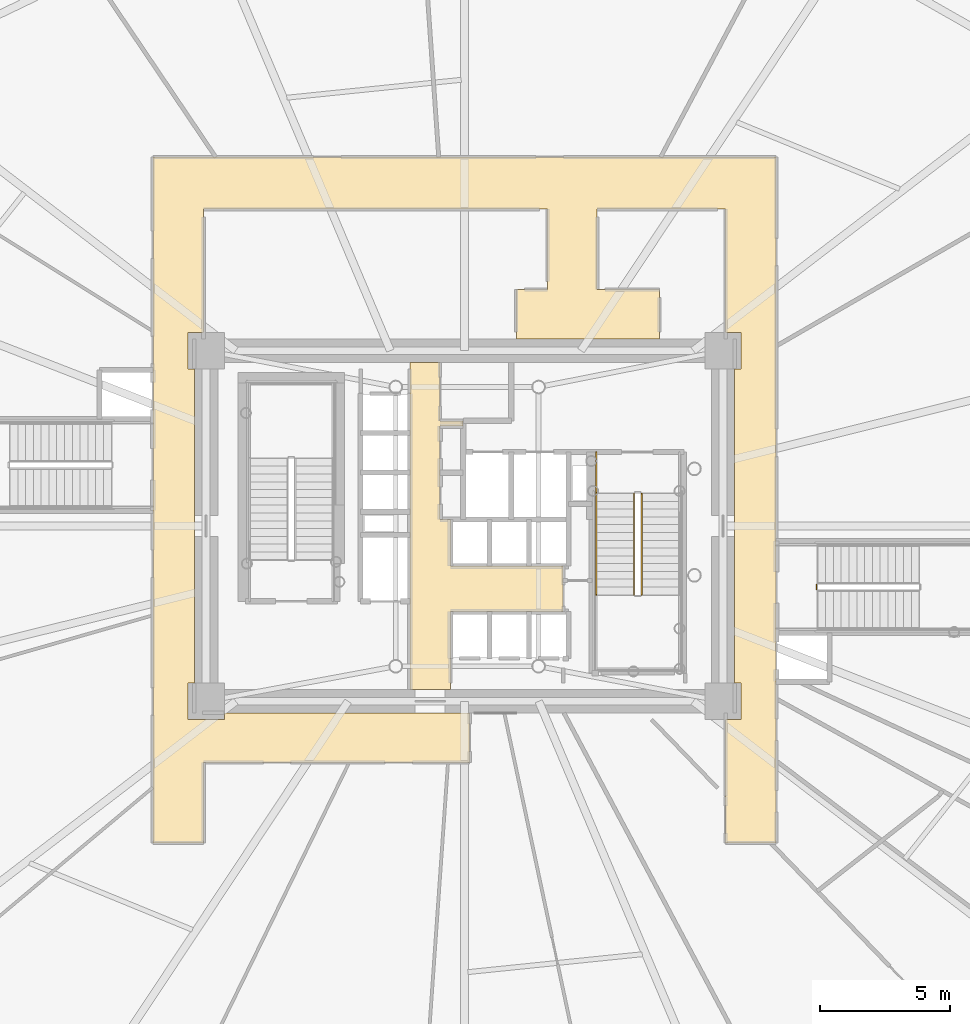
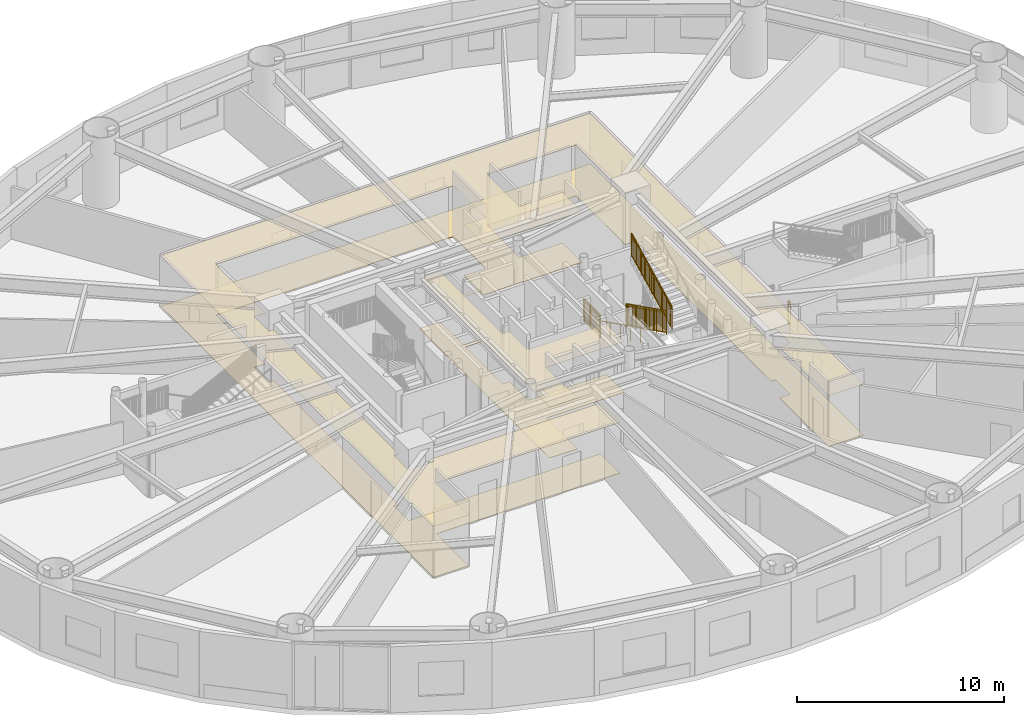
# One storey, part 24 of 27: 5 railings, 4 coverings.
"""IFC4 building model written with IfcOpenShell, lengths in metres."""

import ifcopenshell
import ifcopenshell.guid

model = None  # the IFC model being written
_history = None  # IfcOwnerHistory: only IFC2X3 demands one
_inside = {}  # id of a spatial element -> (the spatial element, [elements in it])
_under = {}  # id of a project, library or spatial element -> (it, [spatial elements below it])
_declared = {}  # id of a project -> (the project, [libraries it declares])
_typed = {}  # id of a type object -> (the type object, [elements of that type])
_made_of = {}  # id of a material, layer set ... -> (it, [elements and type objects made of it])


def new_model(schema):
    """Start an empty IFC model of exactly this schema.

    Asked for "IFC4X3", IfcOpenShell would pick the latest addendum, in which some entities
    have other attributes; the version numbers below select the first issue.
    IFC2X3 requires an IfcOwnerHistory on every rooted entity: one is made here for all.
    """
    global model, _history
    if schema == "IFC4X3":
        model = ifcopenshell.file(schema_version=(4, 3, 0, 0))
    else:
        model = ifcopenshell.file(schema=schema)
    _inside.clear()
    _under.clear()
    _declared.clear()
    _typed.clear()
    _made_of.clear()
    _history = None
    if model.schema == "IFC2X3":
        org = make("IfcOrganization", Name="unknown")
        user = make(
            "IfcPersonAndOrganization",
            ThePerson=make("IfcPerson", FamilyName="unknown"),
            TheOrganization=org,
        )
        app = make(
            "IfcApplication",
            ApplicationDeveloper=org,
            Version="unknown",
            ApplicationFullName="unknown",
            ApplicationIdentifier="unknown",
        )
        _history = make(
            "IfcOwnerHistory",
            OwningUser=user,
            OwningApplication=app,
            ChangeAction="ADDED",
            CreationDate=0,
        )
    return model


def make(cls, **values):
    """One entity of the class cls with the attributes given. An attribute that is None is left unset."""
    return model.create_entity(
        cls, **{name: value for name, value in values.items() if value is not None}
    )


def rooted(cls, **values):
    """An entity with a GlobalId (a new one), such as an element, a storey or a relation."""
    return make(cls, GlobalId=ifcopenshell.guid.new(), OwnerHistory=_history, **values)


def si_unit(unit_type, name, prefix=None):
    """IfcSIUnit, for example si_unit("LENGTHUNIT", "METRE", prefix="MILLI")."""
    return make("IfcSIUnit", UnitType=unit_type, Prefix=prefix, Name=name)


def assignment(units):
    """IfcUnitAssignment: the units of a project."""
    return None if units is None else make("IfcUnitAssignment", Units=units)


def point(xyz):
    """IfcCartesianPoint."""
    return None if xyz is None else make("IfcCartesianPoint", Coordinates=xyz)


def direction(xyz):
    """IfcDirection."""
    return None if xyz is None else make("IfcDirection", DirectionRatios=xyz)


def frame(location, z_axis=None, x_axis=None):
    """IfcAxis2Placement3D, a coordinate frame: its origin and axes. An axis left out is left unset."""
    return make(
        "IfcAxis2Placement3D",
        Location=point(location),
        Axis=direction(z_axis),
        RefDirection=direction(x_axis),
    )


def frame_2d(location, x_axis=None):
    """IfcAxis2Placement2D, a coordinate frame in the plane: its origin and x axis."""
    return make(
        "IfcAxis2Placement2D", Location=point(location), RefDirection=direction(x_axis)
    )


def origin():
    """The frame at (0, 0, 0) with its axes left unset."""
    return frame((0.0, 0.0, 0.0))


def origin_2d():
    """The frame at (0, 0) in the plane with its x axis left unset."""
    return frame_2d((0.0, 0.0))


def place(relative_to, where):
    """IfcLocalPlacement: puts the frame where relative to a parent placement (None: the world)."""
    return make(
        "IfcLocalPlacement", PlacementRelTo=relative_to, RelativePlacement=where
    )


def context(
    kind, dimensions, precision=None, world=None, true_north=None, identifier=None
):
    """IfcGeometricRepresentationContext, for example the 3D "Model" context."""
    return make(
        "IfcGeometricRepresentationContext",
        ContextIdentifier=identifier,
        ContextType=kind,
        CoordinateSpaceDimension=dimensions,
        Precision=precision,
        WorldCoordinateSystem=world,
        TrueNorth=true_north,
    )


def subcontext(parent, identifier, kind, view, scale=None):
    """IfcGeometricRepresentationSubContext, for example "Body" below "Model"."""
    return make(
        "IfcGeometricRepresentationSubContext",
        ContextIdentifier=identifier,
        ContextType=kind,
        ParentContext=parent,
        TargetScale=scale,
        TargetView=view,
    )


def project(units=None, contexts=None):
    """IfcProject with its units and contexts."""
    return rooted(
        "IfcProject",
        Name="project",
        RepresentationContexts=contexts,
        UnitsInContext=assignment(units),
    )


def spatial(cls, under=None, at=None, **own):
    """A site, building, storey or space (cls), placed at a placement, below another one or the project."""
    s = rooted(cls, ObjectPlacement=at, **own)
    if under is not None:
        _under.setdefault(under.id(), (under, []))[1].append(s)
    return s


def polyline(points):
    """IfcPolyline through the points."""
    return make("IfcPolyline", Points=[point(p) for p in points])


def profile(cls, at=None, kind="AREA", **sizes):
    """A parametric profile (cls). Its sizes go by their IFC names, for example OverallWidth=200.0."""
    return make(cls, ProfileType=kind, Position=at, **sizes)


def rectangle(**sizes):
    """IfcRectangleProfileDef."""
    return profile("IfcRectangleProfileDef", **sizes)


def outline(outer, holes=None, kind="AREA"):
    """IfcArbitraryClosedProfileDef: a profile drawn as a closed curve; with holes, ...WithVoids."""
    if holes is None:
        return make("IfcArbitraryClosedProfileDef", ProfileType=kind, OuterCurve=outer)
    return make(
        "IfcArbitraryProfileDefWithVoids",
        ProfileType=kind,
        OuterCurve=outer,
        InnerCurves=holes,
    )


def extrude(swept, where, along, depth):
    """IfcExtrudedAreaSolid: the profile swept, set in the frame where, extruded along a direction by depth."""
    return make(
        "IfcExtrudedAreaSolid",
        SweptArea=swept,
        Position=where,
        ExtrudedDirection=direction(along),
        Depth=depth,
    )


def shape(context_of_items, identifier, shape_type, items):
    """IfcShapeRepresentation: the items that make up one representation, for example the "Body"."""
    return make(
        "IfcShapeRepresentation",
        ContextOfItems=context_of_items,
        RepresentationIdentifier=identifier,
        RepresentationType=shape_type,
        Items=items,
    )


def source(mapping_origin, context_of_items, identifier, shape_type, items):
    """IfcRepresentationMap: a shape defined once, which mapped items show again and again."""
    return make(
        "IfcRepresentationMap",
        MappingOrigin=mapping_origin,
        MappedRepresentation=shape(context_of_items, identifier, shape_type, items),
    )


def transform(
    local_origin,
    x_axis=None,
    y_axis=None,
    z_axis=None,
    scale=None,
    scale2=None,
    scale3=None,
    uniform=True,
):
    """IfcCartesianTransformationOperator3D, or its non-uniform kind. x_axis, y_axis, z_axis: its Axis1, 2, 3."""
    if uniform:
        return make(
            "IfcCartesianTransformationOperator3D",
            Axis1=direction(x_axis),
            Axis2=direction(y_axis),
            LocalOrigin=point(local_origin),
            Scale=scale,
            Axis3=direction(z_axis),
        )
    return make(
        "IfcCartesianTransformationOperator3DnonUniform",
        Axis1=direction(x_axis),
        Axis2=direction(y_axis),
        LocalOrigin=point(local_origin),
        Scale=scale,
        Axis3=direction(z_axis),
        Scale2=scale2,
        Scale3=scale3,
    )


def mapped(mapping_source, mapping_target):
    """IfcMappedItem: shows the shape of a source again, moved by a transform."""
    return make(
        "IfcMappedItem", MappingSource=mapping_source, MappingTarget=mapping_target
    )


def material(Name=None, Category=None):
    """IfcMaterial."""
    return make("IfcMaterial", Name=Name, Category=Category)


def layer(
    of_material, thickness, ventilated=None, Name=None, Category=None, Priority=None
):
    """IfcMaterialLayer: one layer of a wall or slab, of a material (None: an air gap)."""
    return make(
        "IfcMaterialLayer",
        Material=of_material,
        LayerThickness=thickness,
        IsVentilated=ventilated,
        Name=Name,
        Category=Category,
        Priority=Priority,
    )


def layer_set(layers, Name=None):
    """IfcMaterialLayerSet."""
    return make("IfcMaterialLayerSet", MaterialLayers=layers, LayerSetName=Name)


def made_of(thing, what):
    """Note that an element or type object is made of a material, layer set ...; save() writes the relation."""
    if what is not None:
        _made_of.setdefault(what.id(), (what, []))[1].append(thing)
    return thing


def type_object(cls, material=None, **own):
    """A type object (cls), such as IfcWallType, which elements share."""
    return made_of(rooted(cls, **own), material)


def element(
    cls,
    number,
    at=None,
    inside=None,
    cuts=None,
    type_object=None,
    material=None,
    context=None,
    identifier="Body",
    shape_type=None,
    held_by="IfcProductDefinitionShape",
    body=None,
    shapes=None,
    **own,
):
    """One element of the class cls, such as IfcWall. Its Tag is "e" and its number.

    at: its placement. inside: the storey or other place that contains it. cuts: it is an
    opening in that element (IfcRelVoidsElement). A single representation is given by context,
    identifier, shape_type and body (its items); several are given by shapes. held_by: the class
    of the entity that holds the representations. save() writes the other relations.
    """
    e = rooted(cls, Tag="e%d" % number, ObjectPlacement=at, **own)
    if body is not None:
        shapes = [shape(context, identifier, shape_type, body)]
    if shapes is not None:
        e.Representation = make(held_by, Representations=shapes)
    if inside is not None:
        _inside.setdefault(inside.id(), (inside, []))[1].append(e)
    if cuts is not None:
        rooted(
            "IfcRelVoidsElement", RelatingBuildingElement=cuts, RelatedOpeningElement=e
        )
    if type_object is not None:
        _typed.setdefault(type_object.id(), (type_object, []))[1].append(e)
    return made_of(e, material)


def aggregate(whole, parts):
    """IfcRelAggregates: a whole, such as a stair, and the parts it consists of."""
    return rooted("IfcRelAggregates", RelatingObject=whole, RelatedObjects=parts)


def save(model, path):
    """Write the relations noted so far, then the file.

    IfcRelAggregates (storeys below a building ...), IfcRelContainedInSpatialStructure (elements
    in a storey), IfcRelDefinesByType, IfcRelAssociatesMaterial and IfcRelDeclares: one each for
    every whole, place, type object, material and project.
    """
    for whole, parts in _under.values():
        aggregate(whole, parts)
    for where, things in _inside.values():
        rooted(
            "IfcRelContainedInSpatialStructure",
            RelatedElements=things,
            RelatingStructure=where,
        )
    for kind, things in _typed.values():
        rooted("IfcRelDefinesByType", RelatedObjects=things, RelatingType=kind)
    for what, things in _made_of.values():
        rooted("IfcRelAssociatesMaterial", RelatedObjects=things, RelatingMaterial=what)
    for by, libraries in _declared.values():
        rooted("IfcRelDeclares", RelatingContext=by, RelatedDefinitions=libraries)
    model.write(path)


model = new_model("IFC4")

# Units and contexts
model_context = context("Model", 3, precision=1e-05, world=origin(), true_north=direction((0.0, 1.0)))
body_context = subcontext(model_context, "Body", "Model", "MODEL_VIEW")
ifc_project = project(units=[si_unit("LENGTHUNIT", "METRE"), si_unit("AREAUNIT", "SQUARE_METRE"), si_unit("VOLUMEUNIT", "CUBIC_METRE"), si_unit("PLANEANGLEUNIT", "RADIAN"), si_unit("MASSUNIT", "GRAM", prefix="KILO")], contexts=[model_context])

# Site, building, storey
site_placement = place(None, origin())
site = spatial("IfcSite", under=ifc_project, at=site_placement, CompositionType="ELEMENT")
building_placement = place(site_placement, origin())
building = spatial("IfcBuilding", under=site, at=building_placement, Name="Linh Dai School and Residence Tower", CompositionType="ELEMENT")
storey_placement = place(building_placement, frame((0.0, 0.0, 14.39990234375)))
storey = spatial("IfcBuildingStorey", under=building, at=storey_placement, Name="L03", CompositionType="ELEMENT", Elevation=14.39990234375)

# Coverings
ifc_material_1 = material(Name="Mineral Fibre Acoustic Suspended Ceiling", Category="masonry")
ifc_layer_1 = layer(ifc_material_1, 0.02001953125)
ifc_layer_set_1 = layer_set([ifc_layer_1], Name="Mineral Fibre Acoustic Suspended Ceiling")
covering_type_1 = type_object("IfcCoveringType", Name="COV-CEIL-AC-20", PredefinedType="CEILING", material=ifc_layer_set_1)
covering_1_placement = place(storey_placement, frame((0.0, 0.0, 3.0)))
element("IfcCovering", 1, at=covering_1_placement, inside=storey, type_object=covering_type_1, Name="L03 Passenger Lift Lobby Suspended Ceiling", PredefinedType="CEILING", context=body_context, shape_type="SweptSolid", body=[
    extrude(outline(polyline([(35.050048828125, 33.300048828125), (35.050048828125, 31.050048828125), (35.949951171875, 31.050048828125), (35.949951171875, 30.85009765625), (35.050048828125, 30.85009765625), (35.050048828125, 27.25), (35.449951171875, 27.25), (35.449951171875, 25.449951171875), (39.800048828125, 25.449951171875), (39.800048828125, 23.699951171875), (35.449951171875, 23.699951171875), (35.449951171875, 20.699951171875), (33.89990234375, 20.699951171875), (33.89990234375, 33.300048828125), (35.050048828125, 33.300048828125)])), origin(), (0.0, 0.0, 1.0), 0.02001953125),
])
covering_2_placement = place(storey_placement, frame((0.0, 0.0, 3.0)))
element("IfcCovering", 2, at=covering_2_placement, inside=storey, type_object=covering_type_1, Name="L03 School Circulation Ring Corridor Suspended Ceiling", PredefinedType="CEILING", context=body_context, shape_type="SweptSolid", body=[
    extrude(outline(polyline([(24.0, 41.199951171875), (48.0, 41.199951171875), (48.0, 14.800048828125), (46.050048828125, 14.800048828125), (46.050048828125, 19.550048828125), (46.64990234375, 19.550048828125), (46.64990234375, 20.949951171875), (46.39990234375, 20.949951171875), (46.39990234375, 33.050048828125), (46.64990234375, 33.050048828125), (46.64990234375, 34.449951171875), (46.050048828125, 34.449951171875), (46.050048828125, 39.199951171875), (41.10009765625, 39.199951171875), (41.10009765625, 36.10009765625), (43.5, 36.10009765625), (43.5, 34.199951171875), (38.0, 34.199951171875), (38.0, 36.10009765625), (39.199951171875, 36.10009765625), (39.199951171875, 39.199951171875), (25.949951171875, 39.199951171875), (25.949951171875, 34.449951171875), (25.35009765625, 34.449951171875), (25.35009765625, 33.050048828125), (25.60009765625, 33.050048828125), (25.60009765625, 20.949951171875), (25.35009765625, 20.949951171875), (25.35009765625, 19.550048828125), (26.75, 19.550048828125), (26.75, 19.800048828125), (36.199951171875, 19.800048828125), (36.199951171875, 17.89990234375), (25.949951171875, 17.89990234375), (25.949951171875, 14.800048828125), (24.0, 14.800048828125), (24.0, 41.199951171875)])), origin(), (0.0, 0.0, 1.0), 0.02001953125),
])
ifc_material_2 = material(Name="Polished Terrazzo Floor Finish", Category="masonry")
ifc_layer_2 = layer(ifc_material_2, 0.02490234375)
ifc_layer_set_2 = layer_set([ifc_layer_2], Name="Polished Terrazzo Floor Finish")
covering_type_2 = type_object("IfcCoveringType", Name="COV-FLR-TRZ-25", PredefinedType="FLOORING", material=ifc_layer_set_2)
covering_3_placement = place(storey_placement, origin())
element("IfcCovering", 3, at=covering_3_placement, inside=storey, type_object=covering_type_2, Name="L03 Passenger Lift Lobby Floor Finish", PredefinedType="FLOORING", context=body_context, shape_type="SweptSolid", body=[
    extrude(outline(polyline([(35.050048828125, 33.300048828125), (35.050048828125, 31.050048828125), (35.949951171875, 31.050048828125), (35.949951171875, 30.85009765625), (35.050048828125, 30.85009765625), (35.050048828125, 27.25), (35.449951171875, 27.25), (35.449951171875, 25.449951171875), (39.800048828125, 25.449951171875), (39.800048828125, 23.699951171875), (35.449951171875, 23.699951171875), (35.449951171875, 20.699951171875), (33.89990234375, 20.699951171875), (33.89990234375, 33.300048828125), (35.050048828125, 33.300048828125)])), origin(), (0.0, 0.0, 1.0), 0.02001953125),
])
covering_4_placement = place(storey_placement, origin())
element("IfcCovering", 4, at=covering_4_placement, inside=storey, type_object=covering_type_2, Name="L03 School Circulation Ring Corridor Floor Finish", PredefinedType="FLOORING", context=body_context, shape_type="SweptSolid", body=[
    extrude(outline(polyline([(24.0, 41.199951171875), (48.0, 41.199951171875), (48.0, 14.800048828125), (46.050048828125, 14.800048828125), (46.050048828125, 19.550048828125), (46.64990234375, 19.550048828125), (46.64990234375, 20.949951171875), (46.39990234375, 20.949951171875), (46.39990234375, 33.050048828125), (46.64990234375, 33.050048828125), (46.64990234375, 34.449951171875), (46.050048828125, 34.449951171875), (46.050048828125, 39.199951171875), (41.10009765625, 39.199951171875), (41.10009765625, 36.10009765625), (43.5, 36.10009765625), (43.5, 34.199951171875), (38.0, 34.199951171875), (38.0, 36.10009765625), (39.199951171875, 36.10009765625), (39.199951171875, 39.199951171875), (25.949951171875, 39.199951171875), (25.949951171875, 34.449951171875), (25.35009765625, 34.449951171875), (25.35009765625, 33.050048828125), (25.60009765625, 33.050048828125), (25.60009765625, 20.949951171875), (25.35009765625, 20.949951171875), (25.35009765625, 19.550048828125), (26.75, 19.550048828125), (26.75, 19.800048828125), (36.199951171875, 19.800048828125), (36.199951171875, 17.89990234375), (25.949951171875, 17.89990234375), (25.949951171875, 14.800048828125), (24.0, 14.800048828125), (24.0, 41.199951171875)])), origin(), (0.0, 0.0, 1.0), 0.02001953125),
])

# Railings
ifc_material_3 = material(Name="Structural Steel S355JR", Category="steel")
railing_type_1 = type_object("IfcRailingType", Name="RL-ST-GUARD-1400", PredefinedType="GUARDRAIL", material=ifc_material_3)
shared_shape_1 = source(origin(), body_context, "Body", "SweptSolid", [
    extrude(rectangle(XDim=0.048095703125, YDim=0.048095703125, at=origin_2d()), frame((0.0, 0.0, 1.3759765625), z_axis=(0.0, -1.0, 0.0), x_axis=(1.0, 0.0, 0.0)), (0.0, 0.0, 1.0), 1.60009765625),
    extrude(rectangle(XDim=0.048095703125, YDim=0.048095703125, at=origin_2d()), frame((0.0, 0.0, 0.10009765625), z_axis=(0.0, -1.0, 0.0), x_axis=(1.0, 0.0, 0.0)), (0.0, 0.0, 1.0), 1.60009765625),
    extrude(rectangle(XDim=0.030029296875, YDim=0.030029296875, at=origin_2d()), frame((0.0, 0.0, 1.239990234375), z_axis=(0.0, -1.0, 0.0), x_axis=(1.0, 0.0, 0.0)), (0.0, 0.0, 1.0), 1.60009765625),
    extrude(rectangle(XDim=0.02001953125, YDim=0.02001953125, at=origin_2d()), frame((0.0, -0.09423828125, 0.10009765625)), (0.0, 0.0, 1.0), 1.251708984375),
    extrude(rectangle(XDim=0.02001953125, YDim=0.02001953125, at=origin_2d()), frame((0.0, -0.188232421875, 0.10009765625)), (0.0, 0.0, 1.0), 1.251708984375),
    extrude(rectangle(XDim=0.02001953125, YDim=0.02001953125, at=origin_2d()), frame((0.0, -0.282470703125, 0.10009765625)), (0.0, 0.0, 1.0), 1.251708984375),
    extrude(rectangle(XDim=0.02001953125, YDim=0.02001953125, at=origin_2d()), frame((0.0, -0.37646484375, 0.10009765625)), (0.0, 0.0, 1.0), 1.251708984375),
    extrude(rectangle(XDim=0.02001953125, YDim=0.02001953125, at=origin_2d()), frame((0.0, -0.470703125, 0.10009765625)), (0.0, 0.0, 1.0), 1.251708984375),
    extrude(rectangle(XDim=0.02001953125, YDim=0.02001953125, at=origin_2d()), frame((0.0, -0.564697265625, 0.10009765625)), (0.0, 0.0, 1.0), 1.251708984375),
    extrude(rectangle(XDim=0.02001953125, YDim=0.02001953125, at=origin_2d()), frame((0.0, -0.658935546875, 0.10009765625)), (0.0, 0.0, 1.0), 1.251708984375),
    extrude(rectangle(XDim=0.02001953125, YDim=0.02001953125, at=origin_2d()), frame((0.0, -0.7529296875, 0.10009765625)), (0.0, 0.0, 1.0), 1.251708984375),
    extrude(rectangle(XDim=0.02001953125, YDim=0.02001953125, at=origin_2d()), frame((0.0, -0.84716796875, 0.10009765625)), (0.0, 0.0, 1.0), 1.251708984375),
    extrude(rectangle(XDim=0.02001953125, YDim=0.02001953125, at=origin_2d()), frame((0.0, -0.941162109375, 0.10009765625)), (0.0, 0.0, 1.0), 1.251708984375),
    extrude(rectangle(XDim=0.02001953125, YDim=0.02001953125, at=origin_2d()), frame((0.0, -1.035400390625, 0.10009765625)), (0.0, 0.0, 1.0), 1.251708984375),
    extrude(rectangle(XDim=0.02001953125, YDim=0.02001953125, at=origin_2d()), frame((0.0, -1.12939453125, 0.10009765625)), (0.0, 0.0, 1.0), 1.251708984375),
    extrude(rectangle(XDim=0.02001953125, YDim=0.02001953125, at=origin_2d()), frame((0.0, -1.2236328125, 0.10009765625)), (0.0, 0.0, 1.0), 1.251708984375),
    extrude(rectangle(XDim=0.02001953125, YDim=0.02001953125, at=origin_2d()), frame((0.0, -1.317626953125, 0.10009765625)), (0.0, 0.0, 1.0), 1.251708984375),
    extrude(rectangle(XDim=0.02001953125, YDim=0.02001953125, at=origin_2d()), frame((0.0, -1.411865234375, 0.10009765625)), (0.0, 0.0, 1.0), 1.251708984375),
    extrude(rectangle(XDim=0.02001953125, YDim=0.02001953125, at=origin_2d()), frame((0.0, -1.505859375, 0.10009765625)), (0.0, 0.0, 1.0), 1.251708984375),
    extrude(rectangle(XDim=0.0419921875, YDim=0.0419921875, at=origin_2d()), origin(), (0.0, 0.0, 1.0), 1.3759765625),
    extrude(rectangle(XDim=0.0419921875, YDim=0.0419921875, at=origin_2d()), frame((0.0, -0.800048828125, 0.0)), (0.0, 0.0, 1.0), 1.3759765625),
    extrude(rectangle(XDim=0.0419921875, YDim=0.0419921875, at=origin_2d()), frame((0.0, -1.60009765625, 0.0)), (0.0, 0.0, 1.0), 1.3759765625),
])
railing_1_placement = place(storey_placement, frame((41.070068359375, 29.85009765625, 0.0)))
element("IfcRailing", 5, at=railing_1_placement, inside=storey, type_object=railing_type_1, Name="L03 ST2 stair guard 8", PredefinedType="GUARDRAIL", context=body_context, shape_type="MappedRepresentation", body=[
    mapped(shared_shape_1, transform((0.0, 0.0, 0.0), x_axis=(1.0, 0.0, 0.0), y_axis=(0.0, 1.0, 0.0), z_axis=(0.0, 0.0, 1.0), scale=1.0)),
])
shared_shape_2 = source(origin(), body_context, "Body", "SweptSolid", [
    extrude(rectangle(XDim=0.048095703125, YDim=0.048095703125, at=origin_2d()), frame((0.0, 0.0, 1.3759765625), z_axis=(0.0, -0.894427191, 0.4472135955), x_axis=(1.0, 0.0, 0.0)), (0.0, 0.0, 1.0), 4.360107421875),
    extrude(rectangle(XDim=0.048095703125, YDim=0.048095703125, at=origin_2d()), frame((0.0, 0.0, 0.10009765625), z_axis=(0.0, -0.894427191, 0.4472135955), x_axis=(1.0, 0.0, 0.0)), (0.0, 0.0, 1.0), 4.360107421875),
    extrude(rectangle(XDim=0.030029296875, YDim=0.030029296875, at=origin_2d()), frame((0.0, 0.0, 1.239990234375), z_axis=(0.0, -0.894427191, 0.4472135955), x_axis=(1.0, 0.0, 0.0)), (0.0, 0.0, 1.0), 4.360107421875),
    extrude(rectangle(XDim=0.02001953125, YDim=0.02001953125, at=origin_2d()), frame((0.0, -0.086669921875, 0.143310546875)), (0.0, 0.0, 1.0), 1.251708984375),
    extrude(rectangle(XDim=0.02001953125, YDim=0.02001953125, at=origin_2d()), frame((0.0, -0.17333984375, 0.186767578125)), (0.0, 0.0, 1.0), 1.251708984375),
    extrude(rectangle(XDim=0.02001953125, YDim=0.02001953125, at=origin_2d()), frame((0.0, -0.260009765625, 0.22998046875)), (0.0, 0.0, 1.0), 1.251708984375),
    extrude(rectangle(XDim=0.02001953125, YDim=0.02001953125, at=origin_2d()), frame((0.0, -0.3466796875, 0.2734375)), (0.0, 0.0, 1.0), 1.251708984375),
    extrude(rectangle(XDim=0.02001953125, YDim=0.02001953125, at=origin_2d()), frame((0.0, -0.433349609375, 0.316650390625)), (0.0, 0.0, 1.0), 1.251708984375),
    extrude(rectangle(XDim=0.02001953125, YDim=0.02001953125, at=origin_2d()), frame((0.0, -0.52001953125, 0.360107421875)), (0.0, 0.0, 1.0), 1.251708984375),
    extrude(rectangle(XDim=0.02001953125, YDim=0.02001953125, at=origin_2d()), frame((0.0, -0.606689453125, 0.4033203125)), (0.0, 0.0, 1.0), 1.251708984375),
    extrude(rectangle(XDim=0.02001953125, YDim=0.02001953125, at=origin_2d()), frame((0.0, -0.693359375, 0.44677734375)), (0.0, 0.0, 1.0), 1.251708984375),
    extrude(rectangle(XDim=0.02001953125, YDim=0.02001953125, at=origin_2d()), frame((0.0, -0.780029296875, 0.489990234375)), (0.0, 0.0, 1.0), 1.251708984375),
    extrude(rectangle(XDim=0.02001953125, YDim=0.02001953125, at=origin_2d()), frame((0.0, -0.86669921875, 0.533447265625)), (0.0, 0.0, 1.0), 1.251708984375),
    extrude(rectangle(XDim=0.02001953125, YDim=0.02001953125, at=origin_2d()), frame((0.0, -1.0400390625, 0.6201171875)), (0.0, 0.0, 1.0), 1.251708984375),
    extrude(rectangle(XDim=0.02001953125, YDim=0.02001953125, at=origin_2d()), frame((0.0, -1.126708984375, 0.663330078125)), (0.0, 0.0, 1.0), 1.251708984375),
    extrude(rectangle(XDim=0.02001953125, YDim=0.02001953125, at=origin_2d()), frame((0.0, -1.21337890625, 0.706787109375)), (0.0, 0.0, 1.0), 1.251708984375),
    extrude(rectangle(XDim=0.02001953125, YDim=0.02001953125, at=origin_2d()), frame((0.0, -1.300048828125, 0.75)), (0.0, 0.0, 1.0), 1.251708984375),
    extrude(rectangle(XDim=0.02001953125, YDim=0.02001953125, at=origin_2d()), frame((0.0, -1.38671875, 0.79345703125)), (0.0, 0.0, 1.0), 1.251708984375),
    extrude(rectangle(XDim=0.02001953125, YDim=0.02001953125, at=origin_2d()), frame((0.0, -1.473388671875, 0.836669921875)), (0.0, 0.0, 1.0), 1.251708984375),
    extrude(rectangle(XDim=0.02001953125, YDim=0.02001953125, at=origin_2d()), frame((0.0, -1.56005859375, 0.880126953125)), (0.0, 0.0, 1.0), 1.251708984375),
    extrude(rectangle(XDim=0.02001953125, YDim=0.02001953125, at=origin_2d()), frame((0.0, -1.646728515625, 0.92333984375)), (0.0, 0.0, 1.0), 1.251708984375),
    extrude(rectangle(XDim=0.02001953125, YDim=0.02001953125, at=origin_2d()), frame((0.0, -1.7333984375, 0.966796875)), (0.0, 0.0, 1.0), 1.251708984375),
    extrude(rectangle(XDim=0.02001953125, YDim=0.02001953125, at=origin_2d()), frame((0.0, -1.820068359375, 1.010009765625)), (0.0, 0.0, 1.0), 1.251708984375),
    extrude(rectangle(XDim=0.02001953125, YDim=0.02001953125, at=origin_2d()), frame((0.0, -1.90673828125, 1.053466796875)), (0.0, 0.0, 1.0), 1.251708984375),
    extrude(rectangle(XDim=0.02001953125, YDim=0.02001953125, at=origin_2d()), frame((0.0, -1.9931640625, 1.0966796875)), (0.0, 0.0, 1.0), 1.251708984375),
    extrude(rectangle(XDim=0.02001953125, YDim=0.02001953125, at=origin_2d()), frame((0.0, -2.079833984375, 1.14013671875)), (0.0, 0.0, 1.0), 1.251708984375),
    extrude(rectangle(XDim=0.02001953125, YDim=0.02001953125, at=origin_2d()), frame((0.0, -2.16650390625, 1.183349609375)), (0.0, 0.0, 1.0), 1.251708984375),
    extrude(rectangle(XDim=0.02001953125, YDim=0.02001953125, at=origin_2d()), frame((0.0, -2.253173828125, 1.226806640625)), (0.0, 0.0, 1.0), 1.251708984375),
    extrude(rectangle(XDim=0.02001953125, YDim=0.02001953125, at=origin_2d()), frame((0.0, -2.33984375, 1.27001953125)), (0.0, 0.0, 1.0), 1.251708984375),
    extrude(rectangle(XDim=0.02001953125, YDim=0.02001953125, at=origin_2d()), frame((0.0, -2.426513671875, 1.3134765625)), (0.0, 0.0, 1.0), 1.251708984375),
    extrude(rectangle(XDim=0.02001953125, YDim=0.02001953125, at=origin_2d()), frame((0.0, -2.51318359375, 1.356689453125)), (0.0, 0.0, 1.0), 1.251708984375),
    extrude(rectangle(XDim=0.02001953125, YDim=0.02001953125, at=origin_2d()), frame((0.0, -2.599853515625, 1.400146484375)), (0.0, 0.0, 1.0), 1.251708984375),
    extrude(rectangle(XDim=0.02001953125, YDim=0.02001953125, at=origin_2d()), frame((0.0, -2.6865234375, 1.443359375)), (0.0, 0.0, 1.0), 1.251708984375),
    extrude(rectangle(XDim=0.02001953125, YDim=0.02001953125, at=origin_2d()), frame((0.0, -2.773193359375, 1.48681640625)), (0.0, 0.0, 1.0), 1.251708984375),
    extrude(rectangle(XDim=0.02001953125, YDim=0.02001953125, at=origin_2d()), frame((0.0, -2.85986328125, 1.530029296875)), (0.0, 0.0, 1.0), 1.251708984375),
    extrude(rectangle(XDim=0.02001953125, YDim=0.02001953125, at=origin_2d()), frame((0.0, -3.033203125, 1.61669921875)), (0.0, 0.0, 1.0), 1.251708984375),
    extrude(rectangle(XDim=0.02001953125, YDim=0.02001953125, at=origin_2d()), frame((0.0, -3.119873046875, 1.66015625)), (0.0, 0.0, 1.0), 1.251708984375),
    extrude(rectangle(XDim=0.02001953125, YDim=0.02001953125, at=origin_2d()), frame((0.0, -3.20654296875, 1.703369140625)), (0.0, 0.0, 1.0), 1.251708984375),
    extrude(rectangle(XDim=0.02001953125, YDim=0.02001953125, at=origin_2d()), frame((0.0, -3.293212890625, 1.746826171875)), (0.0, 0.0, 1.0), 1.251708984375),
    extrude(rectangle(XDim=0.02001953125, YDim=0.02001953125, at=origin_2d()), frame((0.0, -3.3798828125, 1.7900390625)), (0.0, 0.0, 1.0), 1.251708984375),
    extrude(rectangle(XDim=0.02001953125, YDim=0.02001953125, at=origin_2d()), frame((0.0, -3.466552734375, 1.83349609375)), (0.0, 0.0, 1.0), 1.251708984375),
    extrude(rectangle(XDim=0.02001953125, YDim=0.02001953125, at=origin_2d()), frame((0.0, -3.55322265625, 1.876708984375)), (0.0, 0.0, 1.0), 1.251708984375),
    extrude(rectangle(XDim=0.02001953125, YDim=0.02001953125, at=origin_2d()), frame((0.0, -3.639892578125, 1.920166015625)), (0.0, 0.0, 1.0), 1.251708984375),
    extrude(rectangle(XDim=0.02001953125, YDim=0.02001953125, at=origin_2d()), frame((0.0, -3.7265625, 1.96337890625)), (0.0, 0.0, 1.0), 1.251708984375),
    extrude(rectangle(XDim=0.02001953125, YDim=0.02001953125, at=origin_2d()), frame((0.0, -3.813232421875, 2.0068359375)), (0.0, 0.0, 1.0), 1.251708984375),
    extrude(rectangle(XDim=0.0419921875, YDim=0.0419921875, at=origin_2d()), origin(), (0.0, 0.0, 1.0), 1.3759765625),
    extrude(rectangle(XDim=0.0419921875, YDim=0.0419921875, at=origin_2d()), frame((0.0, -0.97509765625, 0.487548828125)), (0.0, 0.0, 1.0), 1.3759765625),
    extrude(rectangle(XDim=0.0419921875, YDim=0.0419921875, at=origin_2d()), frame((0.0, -1.949951171875, 0.97509765625)), (0.0, 0.0, 1.0), 1.3759765625),
    extrude(rectangle(XDim=0.0419921875, YDim=0.0419921875, at=origin_2d()), frame((0.0, -2.9248046875, 1.46240234375)), (0.0, 0.0, 1.0), 1.3759765625),
    extrude(rectangle(XDim=0.0419921875, YDim=0.0419921875, at=origin_2d()), frame((0.0, -3.89990234375, 1.949951171875)), (0.0, 0.0, 1.0), 1.3759765625),
])
railing_2_placement = place(storey_placement, frame((42.52001953125, 28.25, 0.150146484375)))
element("IfcRailing", 6, at=railing_2_placement, inside=storey, type_object=railing_type_1, Name="L03 ST2 stair guard 1", PredefinedType="GUARDRAIL", context=body_context, shape_type="MappedRepresentation", body=[
    mapped(shared_shape_2, transform((0.0, 0.0, 0.0), x_axis=(1.0, 0.0, 0.0), y_axis=(0.0, 1.0, 0.0), z_axis=(0.0, 0.0, 1.0), scale=1.0)),
])
ifc_material_4 = material(Name="Brushed Stainless Steel Handrail", Category="steel")
railing_type_2 = type_object("IfcRailingType", Name="RL-ST-HANDRAIL-900", PredefinedType="HANDRAIL", material=ifc_material_4)
shared_shape_3 = source(origin(), body_context, "Body", "SweptSolid", [
    extrude(rectangle(XDim=0.048095703125, YDim=0.048095703125, at=origin_2d()), frame((0.0, 0.0, 0.8759765625), z_axis=(0.0, -0.894427191, 0.4472135955), x_axis=(1.0, 0.0, 0.0)), (0.0, 0.0, 1.0), 4.360107421875),
    extrude(rectangle(XDim=0.0419921875, YDim=0.0419921875, at=origin_2d()), origin(), (0.0, 0.0, 1.0), 0.8759765625),
    extrude(rectangle(XDim=0.0419921875, YDim=0.0419921875, at=origin_2d()), frame((0.0, -0.97509765625, 0.487548828125)), (0.0, 0.0, 1.0), 0.8759765625),
    extrude(rectangle(XDim=0.0419921875, YDim=0.0419921875, at=origin_2d()), frame((0.0, -1.949951171875, 0.97509765625)), (0.0, 0.0, 1.0), 0.8759765625),
    extrude(rectangle(XDim=0.0419921875, YDim=0.0419921875, at=origin_2d()), frame((0.0, -2.9248046875, 1.46240234375)), (0.0, 0.0, 1.0), 0.8759765625),
    extrude(rectangle(XDim=0.0419921875, YDim=0.0419921875, at=origin_2d()), frame((0.0, -3.89990234375, 1.949951171875)), (0.0, 0.0, 1.0), 0.8759765625),
])
railing_3_placement = place(storey_placement, frame((41.070068359375, 28.25, 0.150146484375)))
element("IfcRailing", 7, at=railing_3_placement, inside=storey, type_object=railing_type_2, Name="L03 ST2 stair handrail 1", PredefinedType="HANDRAIL", context=body_context, shape_type="MappedRepresentation", body=[
    mapped(shared_shape_3, transform((0.0, 0.0, 0.0), x_axis=(1.0, 0.0, 0.0), y_axis=(0.0, 1.0, 0.0), z_axis=(0.0, 0.0, 1.0), scale=1.0)),
])
shared_shape_4 = source(origin(), body_context, "Body", "SweptSolid", [
    extrude(rectangle(XDim=0.048095703125, YDim=0.048095703125, at=origin_2d()), frame((0.0, 0.0, 1.3759765625), z_axis=(0.0, 0.894404793364, 0.447258387967), x_axis=(-1.0, 0.0, 0.0)), (0.0, 0.0, 1.0), 4.3603515625),
    extrude(rectangle(XDim=0.048095703125, YDim=0.048095703125, at=origin_2d()), frame((0.0, 0.0, 0.10009765625), z_axis=(0.0, 0.894404793364, 0.447258387967), x_axis=(-1.0, 0.0, 0.0)), (0.0, 0.0, 1.0), 4.3603515625),
    extrude(rectangle(XDim=0.030029296875, YDim=0.030029296875, at=origin_2d()), frame((0.0, 0.0, 1.239990234375), z_axis=(0.0, 0.894404793364, 0.447258387967), x_axis=(-1.0, 0.0, 0.0)), (0.0, 0.0, 1.0), 4.3603515625),
    extrude(rectangle(XDim=0.02001953125, YDim=0.02001953125, at=origin_2d()), frame((0.0, 0.086669921875, 0.1435546875)), (0.0, 0.0, 1.0), 1.251708984375),
    extrude(rectangle(XDim=0.02001953125, YDim=0.02001953125, at=origin_2d()), frame((0.0, 0.17333984375, 0.186767578125)), (0.0, 0.0, 1.0), 1.251708984375),
    extrude(rectangle(XDim=0.02001953125, YDim=0.02001953125, at=origin_2d()), frame((0.0, 0.260009765625, 0.230224609375)), (0.0, 0.0, 1.0), 1.251708984375),
    extrude(rectangle(XDim=0.02001953125, YDim=0.02001953125, at=origin_2d()), frame((0.0, 0.3466796875, 0.2734375)), (0.0, 0.0, 1.0), 1.251708984375),
    extrude(rectangle(XDim=0.02001953125, YDim=0.02001953125, at=origin_2d()), frame((0.0, 0.433349609375, 0.31689453125)), (0.0, 0.0, 1.0), 1.251708984375),
    extrude(rectangle(XDim=0.02001953125, YDim=0.02001953125, at=origin_2d()), frame((0.0, 0.52001953125, 0.360107421875)), (0.0, 0.0, 1.0), 1.251708984375),
    extrude(rectangle(XDim=0.02001953125, YDim=0.02001953125, at=origin_2d()), frame((0.0, 0.606689453125, 0.403564453125)), (0.0, 0.0, 1.0), 1.251708984375),
    extrude(rectangle(XDim=0.02001953125, YDim=0.02001953125, at=origin_2d()), frame((0.0, 0.693359375, 0.44677734375)), (0.0, 0.0, 1.0), 1.251708984375),
    extrude(rectangle(XDim=0.02001953125, YDim=0.02001953125, at=origin_2d()), frame((0.0, 0.780029296875, 0.490234375)), (0.0, 0.0, 1.0), 1.251708984375),
    extrude(rectangle(XDim=0.02001953125, YDim=0.02001953125, at=origin_2d()), frame((0.0, 0.86669921875, 0.533447265625)), (0.0, 0.0, 1.0), 1.251708984375),
    extrude(rectangle(XDim=0.02001953125, YDim=0.02001953125, at=origin_2d()), frame((0.0, 1.0400390625, 0.6201171875)), (0.0, 0.0, 1.0), 1.251708984375),
    extrude(rectangle(XDim=0.02001953125, YDim=0.02001953125, at=origin_2d()), frame((0.0, 1.126708984375, 0.66357421875)), (0.0, 0.0, 1.0), 1.251708984375),
    extrude(rectangle(XDim=0.02001953125, YDim=0.02001953125, at=origin_2d()), frame((0.0, 1.21337890625, 0.706787109375)), (0.0, 0.0, 1.0), 1.251708984375),
    extrude(rectangle(XDim=0.02001953125, YDim=0.02001953125, at=origin_2d()), frame((0.0, 1.300048828125, 0.750244140625)), (0.0, 0.0, 1.0), 1.251708984375),
    extrude(rectangle(XDim=0.02001953125, YDim=0.02001953125, at=origin_2d()), frame((0.0, 1.38671875, 0.79345703125)), (0.0, 0.0, 1.0), 1.251708984375),
    extrude(rectangle(XDim=0.02001953125, YDim=0.02001953125, at=origin_2d()), frame((0.0, 1.473388671875, 0.8369140625)), (0.0, 0.0, 1.0), 1.251708984375),
    extrude(rectangle(XDim=0.02001953125, YDim=0.02001953125, at=origin_2d()), frame((0.0, 1.56005859375, 0.880126953125)), (0.0, 0.0, 1.0), 1.251708984375),
    extrude(rectangle(XDim=0.02001953125, YDim=0.02001953125, at=origin_2d()), frame((0.0, 1.646728515625, 0.923583984375)), (0.0, 0.0, 1.0), 1.251708984375),
    extrude(rectangle(XDim=0.02001953125, YDim=0.02001953125, at=origin_2d()), frame((0.0, 1.7333984375, 0.966796875)), (0.0, 0.0, 1.0), 1.251708984375),
    extrude(rectangle(XDim=0.02001953125, YDim=0.02001953125, at=origin_2d()), frame((0.0, 1.820068359375, 1.01025390625)), (0.0, 0.0, 1.0), 1.251708984375),
    extrude(rectangle(XDim=0.02001953125, YDim=0.02001953125, at=origin_2d()), frame((0.0, 1.90673828125, 1.053466796875)), (0.0, 0.0, 1.0), 1.251708984375),
    extrude(rectangle(XDim=0.02001953125, YDim=0.02001953125, at=origin_2d()), frame((0.0, 1.9931640625, 1.096923828125)), (0.0, 0.0, 1.0), 1.251708984375),
    extrude(rectangle(XDim=0.02001953125, YDim=0.02001953125, at=origin_2d()), frame((0.0, 2.079833984375, 1.14013671875)), (0.0, 0.0, 1.0), 1.251708984375),
    extrude(rectangle(XDim=0.02001953125, YDim=0.02001953125, at=origin_2d()), frame((0.0, 2.16650390625, 1.18359375)), (0.0, 0.0, 1.0), 1.251708984375),
    extrude(rectangle(XDim=0.02001953125, YDim=0.02001953125, at=origin_2d()), frame((0.0, 2.253173828125, 1.226806640625)), (0.0, 0.0, 1.0), 1.251708984375),
    extrude(rectangle(XDim=0.02001953125, YDim=0.02001953125, at=origin_2d()), frame((0.0, 2.33984375, 1.270263671875)), (0.0, 0.0, 1.0), 1.251708984375),
    extrude(rectangle(XDim=0.02001953125, YDim=0.02001953125, at=origin_2d()), frame((0.0, 2.426513671875, 1.3134765625)), (0.0, 0.0, 1.0), 1.251708984375),
    extrude(rectangle(XDim=0.02001953125, YDim=0.02001953125, at=origin_2d()), frame((0.0, 2.51318359375, 1.35693359375)), (0.0, 0.0, 1.0), 1.251708984375),
    extrude(rectangle(XDim=0.02001953125, YDim=0.02001953125, at=origin_2d()), frame((0.0, 2.599853515625, 1.400146484375)), (0.0, 0.0, 1.0), 1.251708984375),
    extrude(rectangle(XDim=0.02001953125, YDim=0.02001953125, at=origin_2d()), frame((0.0, 2.6865234375, 1.443603515625)), (0.0, 0.0, 1.0), 1.251708984375),
    extrude(rectangle(XDim=0.02001953125, YDim=0.02001953125, at=origin_2d()), frame((0.0, 2.773193359375, 1.48681640625)), (0.0, 0.0, 1.0), 1.251708984375),
    extrude(rectangle(XDim=0.02001953125, YDim=0.02001953125, at=origin_2d()), frame((0.0, 2.85986328125, 1.5302734375)), (0.0, 0.0, 1.0), 1.251708984375),
    extrude(rectangle(XDim=0.02001953125, YDim=0.02001953125, at=origin_2d()), frame((0.0, 3.033203125, 1.616943359375)), (0.0, 0.0, 1.0), 1.251708984375),
    extrude(rectangle(XDim=0.02001953125, YDim=0.02001953125, at=origin_2d()), frame((0.0, 3.119873046875, 1.66015625)), (0.0, 0.0, 1.0), 1.251708984375),
    extrude(rectangle(XDim=0.02001953125, YDim=0.02001953125, at=origin_2d()), frame((0.0, 3.20654296875, 1.70361328125)), (0.0, 0.0, 1.0), 1.251708984375),
    extrude(rectangle(XDim=0.02001953125, YDim=0.02001953125, at=origin_2d()), frame((0.0, 3.293212890625, 1.746826171875)), (0.0, 0.0, 1.0), 1.251708984375),
    extrude(rectangle(XDim=0.02001953125, YDim=0.02001953125, at=origin_2d()), frame((0.0, 3.3798828125, 1.790283203125)), (0.0, 0.0, 1.0), 1.251708984375),
    extrude(rectangle(XDim=0.02001953125, YDim=0.02001953125, at=origin_2d()), frame((0.0, 3.466552734375, 1.83349609375)), (0.0, 0.0, 1.0), 1.251708984375),
    extrude(rectangle(XDim=0.02001953125, YDim=0.02001953125, at=origin_2d()), frame((0.0, 3.55322265625, 1.876953125)), (0.0, 0.0, 1.0), 1.251708984375),
    extrude(rectangle(XDim=0.02001953125, YDim=0.02001953125, at=origin_2d()), frame((0.0, 3.639892578125, 1.920166015625)), (0.0, 0.0, 1.0), 1.251708984375),
    extrude(rectangle(XDim=0.02001953125, YDim=0.02001953125, at=origin_2d()), frame((0.0, 3.7265625, 1.963623046875)), (0.0, 0.0, 1.0), 1.251708984375),
    extrude(rectangle(XDim=0.02001953125, YDim=0.02001953125, at=origin_2d()), frame((0.0, 3.813232421875, 2.0068359375)), (0.0, 0.0, 1.0), 1.251708984375),
    extrude(rectangle(XDim=0.0419921875, YDim=0.0419921875, at=origin_2d()), origin(), (0.0, 0.0, 1.0), 1.3759765625),
    extrude(rectangle(XDim=0.0419921875, YDim=0.0419921875, at=origin_2d()), frame((0.0, 0.97509765625, 0.487548828125)), (0.0, 0.0, 1.0), 1.3759765625),
    extrude(rectangle(XDim=0.0419921875, YDim=0.0419921875, at=origin_2d()), frame((0.0, 1.949951171875, 0.97509765625)), (0.0, 0.0, 1.0), 1.3759765625),
    extrude(rectangle(XDim=0.0419921875, YDim=0.0419921875, at=origin_2d()), frame((0.0, 2.9248046875, 1.462646484375)), (0.0, 0.0, 1.0), 1.3759765625),
    extrude(rectangle(XDim=0.0419921875, YDim=0.0419921875, at=origin_2d()), frame((0.0, 3.89990234375, 1.9501953125)), (0.0, 0.0, 1.0), 1.3759765625),
])
railing_4_placement = place(storey_placement, frame((42.820068359375, 24.35009765625, 2.25)))
element("IfcRailing", 8, at=railing_4_placement, inside=storey, type_object=railing_type_1, Name="L03 ST2 stair guard 6", PredefinedType="GUARDRAIL", context=body_context, shape_type="MappedRepresentation", body=[
    mapped(shared_shape_4, transform((0.0, 0.0, 0.0), x_axis=(1.0, 0.0, 0.0), y_axis=(0.0, 1.0, 0.0), z_axis=(0.0, 0.0, 1.0), scale=1.0)),
])
shared_shape_5 = source(origin(), body_context, "Body", "SweptSolid", [
    extrude(rectangle(XDim=0.048095703125, YDim=0.048095703125, at=origin_2d()), frame((0.0, 0.0, 1.3759765625), z_axis=(0.0, 1.0, 0.0), x_axis=(-1.0, 0.0, 0.0)), (0.0, 0.0, 1.0), 0.199951171875),
    extrude(rectangle(XDim=0.048095703125, YDim=0.048095703125, at=origin_2d()), frame((0.0, 0.0, 0.10009765625), z_axis=(0.0, 1.0, 0.0), x_axis=(-1.0, 0.0, 0.0)), (0.0, 0.0, 1.0), 0.199951171875),
    extrude(rectangle(XDim=0.030029296875, YDim=0.030029296875, at=origin_2d()), frame((0.0, 0.0, 1.239990234375), z_axis=(0.0, 1.0, 0.0), x_axis=(-1.0, 0.0, 0.0)), (0.0, 0.0, 1.0), 0.199951171875),
    extrude(rectangle(XDim=0.0419921875, YDim=0.0419921875, at=origin_2d()), origin(), (0.0, 0.0, 1.0), 1.3759765625),
    extrude(rectangle(XDim=0.0419921875, YDim=0.0419921875, at=origin_2d()), frame((0.0, 0.199951171875, 0.0)), (0.0, 0.0, 1.0), 1.3759765625),
])
railing_5_placement = place(storey_placement, frame((49.550048828125, 24.550048828125, 0.0)))
element("IfcRailing", 9, at=railing_5_placement, inside=storey, type_object=railing_type_1, Name="L03 STS2 stair guard 7", PredefinedType="GUARDRAIL", context=body_context, shape_type="MappedRepresentation", body=[
    mapped(shared_shape_5, transform((0.0, 0.0, 0.0), x_axis=(1.0, 0.0, 0.0), y_axis=(0.0, 1.0, 0.0), z_axis=(0.0, 0.0, 1.0), scale=1.0)),
])

save(model, "model.ifc")
